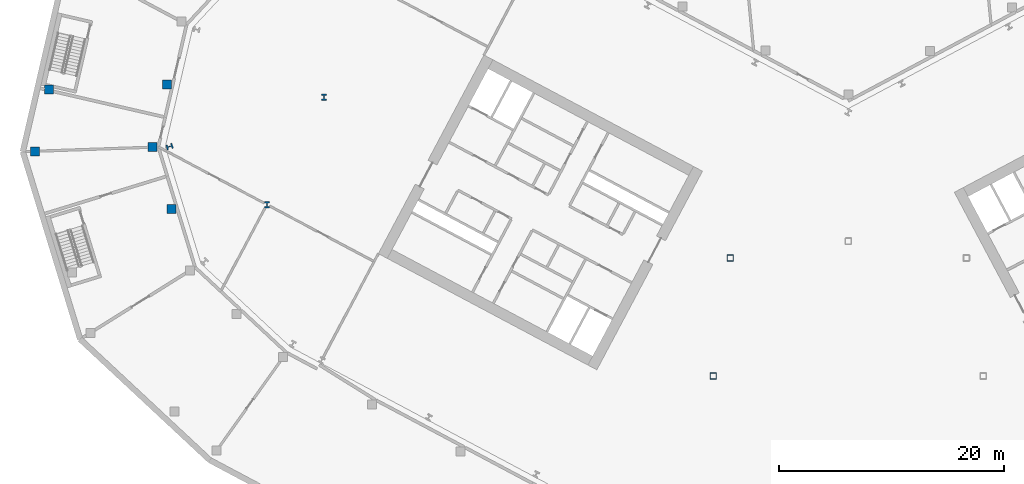
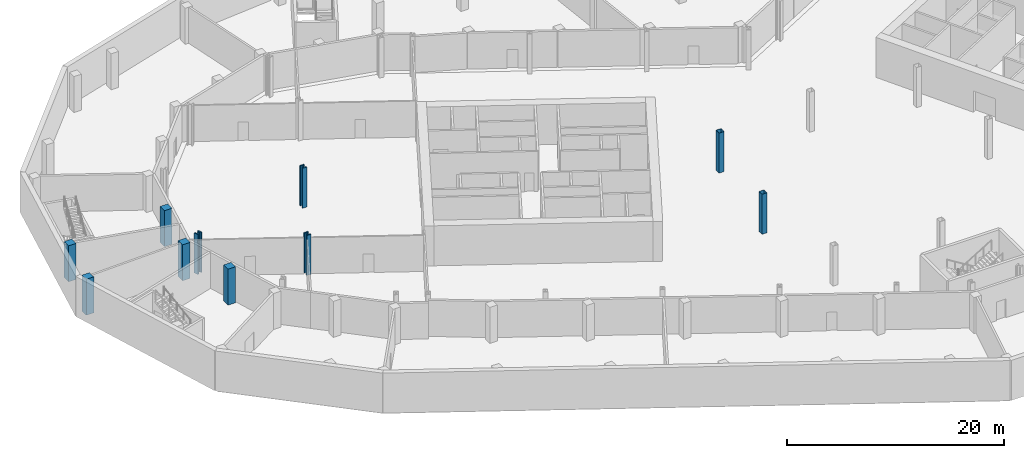
# One storey, part 2 of 27: 10 columns.
"""IFC4 building model written with IfcOpenShell, lengths in metres."""

from ifc_helpers import new_model, si_unit, direction, frame, origin, origin_2d, place, context, subcontext, project, spatial, rectangle, hollow_rectangle, i_section, extrude, material, material_profile, profile_set, type_object, element, save


model = new_model("IFC4")

# Units and contexts
model_context = context("Model", 3, precision=1e-05, world=origin(), true_north=direction((0.0, 1.0)))
body_context = subcontext(model_context, "Body", "Model", "MODEL_VIEW")
ifc_project = project(units=[si_unit("LENGTHUNIT", "METRE"), si_unit("AREAUNIT", "SQUARE_METRE"), si_unit("VOLUMEUNIT", "CUBIC_METRE"), si_unit("PLANEANGLEUNIT", "RADIAN"), si_unit("MASSUNIT", "GRAM", prefix="KILO")], contexts=[model_context])

# Site, building, storey
site_placement = place(None, origin())
site = spatial("IfcSite", under=ifc_project, at=site_placement, CompositionType="ELEMENT")
building_placement = place(site_placement, origin())
building = spatial("IfcBuilding", under=site, at=building_placement, Name="Cormorant Relay Tower", CompositionType="ELEMENT")
storey_placement = place(building_placement, frame((0.0, 0.0, -4.5)))
storey = spatial("IfcBuildingStorey", under=building, at=storey_placement, Name="B1", CompositionType="ELEMENT", Elevation=-4.5)

# Columns
ifc_material_1 = material(Name="Concrete 50 MPa", Category="concrete")
ifc_material_profile_1 = material_profile(ifc_material_1, rectangle(XDim=0.800048828125, YDim=0.800048828125, at=origin_2d()), Name="RC 800x800")
ifc_profile_set_1 = profile_set([ifc_material_profile_1], Name="Concrete 50 MPa")
column_type_1 = type_object("IfcColumnType", Name="Base column 800 x 800", PredefinedType="COLUMN", material=ifc_profile_set_1)
for number, where, z_axis, x_axis, name in (
    (1, (-60.18310546875, 14.8740234375, 0.0), (0.0, 0.0, 1.0), (1.0, 0.0, 0.0), "Base column"),
    (2, (-72.30810546875, 19.989013671875, 0.0), (0.0, 0.0, 1.0), (1.0, 0.0, 0.0), "Base column"),
    (3, (-61.85791015625, 20.35400390625, 0.0), (0.0, 0.0, 1.0), (1.0, 0.0, 0.0), "Base column"),
    (4, (-71.04296875, 25.468994140625, 0.0), (0.0, 0.0, 1.0), (1.0, 0.0, 0.0), "Base column"),
    (5, (-60.569091796875, 25.93701171875, 0.0), (0.0, 0.0, 1.0), (1.0, 0.0, 0.0), "Base column"),
):
    element("IfcColumn", number, at=place(storey_placement, frame(where, z_axis=z_axis, x_axis=x_axis)), inside=storey, type_object=column_type_1, Name=name, PredefinedType="COLUMN", context=body_context, shape_type="SweptSolid", body=[
        extrude(rectangle(XDim=0.800048828125, YDim=0.800048828125, at=origin_2d()), origin(), (0.0, 0.0, 1.0), 4.050048828125),
    ])
ifc_material_2 = material(Name="Steel ASTM A1085 Grade A (Fy 345 MPa)", Category="steel")
ifc_material_profile_2 = material_profile(ifc_material_2, hollow_rectangle(XDim=0.558837890625, YDim=0.558837890625, WallThickness=0.023681640625, InnerFilletRadius=0.01171875, OuterFilletRadius=0.035400390625, at=origin_2d()), Name="HSS559x559x24")
ifc_profile_set_2 = profile_set([ifc_material_profile_2], Name="Steel ASTM A1085 Grade A (Fy 345 MPa)")
column_type_2 = type_object("IfcColumnType", Name="Column HSS559x559x24", PredefinedType="COLUMN", material=ifc_profile_set_2)
for number, where, z_axis, x_axis, name in (
    (6, (-12.0, 0.0, 0.0), (0.0, 0.0, 1.0), (1.0, 0.0, 0.0), "Column B1-015"),
    (7, (-10.5, 10.5, 0.0), (0.0, 0.0, 1.0), (1.0, 0.0, 0.0), "Column B1-022"),
):
    element("IfcColumn", number, at=place(storey_placement, frame(where, z_axis=z_axis, x_axis=x_axis)), inside=storey, type_object=column_type_2, Name=name, PredefinedType="COLUMN", context=body_context, shape_type="SweptSolid", body=[
        extrude(hollow_rectangle(XDim=0.558837890625, YDim=0.558837890625, WallThickness=0.023681640625, InnerFilletRadius=0.01171875, OuterFilletRadius=0.035400390625, at=origin_2d()), origin(), (0.0, 0.0, 1.0), 4.5),
    ])
ifc_material_3 = material(Name="Steel ASTM A992 (Fy 345 MPa)", Category="steel")
ifc_material_profile_3 = material_profile(ifc_material_3, i_section(OverallWidth=0.45458984375, OverallDepth=0.569091796875, WebThickness=0.077880859375, FlangeThickness=0.124755859375, FilletRadius=0.015380859375, at=origin_2d()), Name="W360x1086")
ifc_profile_set_3 = profile_set([ifc_material_profile_3], Name="Steel ASTM A992 (Fy 345 MPa)")
column_type_3 = type_object("IfcColumnType", Name="Column W360x1086", PredefinedType="COLUMN", material=ifc_profile_set_3)
for number, where, z_axis, x_axis, name in (
    (8, (-51.68994140625, 15.251953125, 0.0), (0.0, 0.0, 1.0), (1.0, 0.0, 0.0), "Column B1-027"),
    (9, (-60.340087890625, 20.406982421875, 0.0), (0.0, 0.0, 1.0), (0.292371704723, -0.956304755963, 0.0), "Column B1-030"),
    (10, (-46.6201171875, 24.7880859375, 0.0), (0.0, 0.0, 1.0), (1.0, 0.0, 0.0), "Column B1-034"),
):
    element("IfcColumn", number, at=place(storey_placement, frame(where, z_axis=z_axis, x_axis=x_axis)), inside=storey, type_object=column_type_3, Name=name, PredefinedType="COLUMN", context=body_context, shape_type="SweptSolid", body=[
        extrude(i_section(OverallWidth=0.45458984375, OverallDepth=0.569091796875, WebThickness=0.077880859375, FlangeThickness=0.124755859375, FilletRadius=0.015380859375, at=origin_2d()), origin(), (0.0, 0.0, 1.0), 4.5),
    ])

save(model, "model.ifc")
